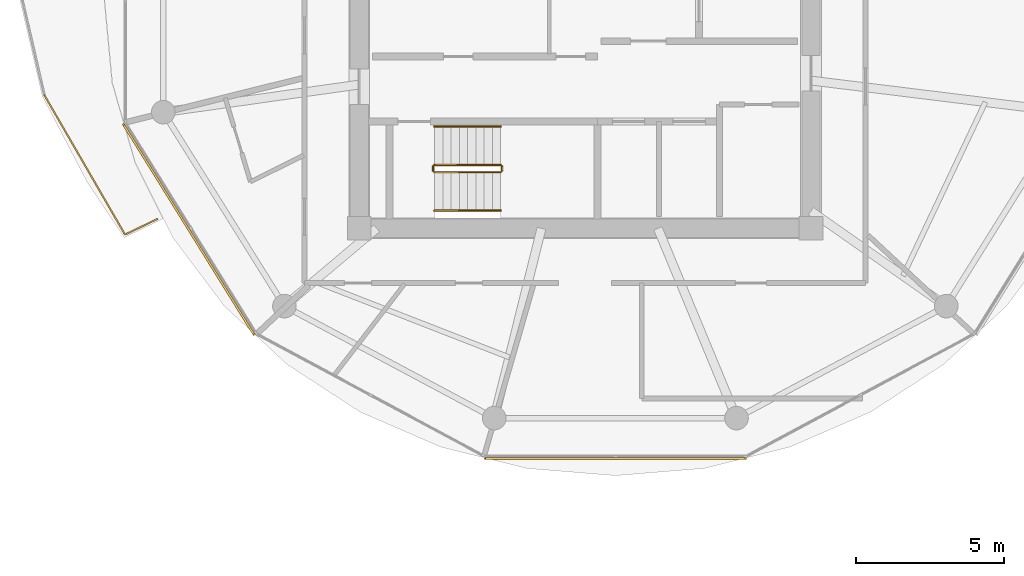
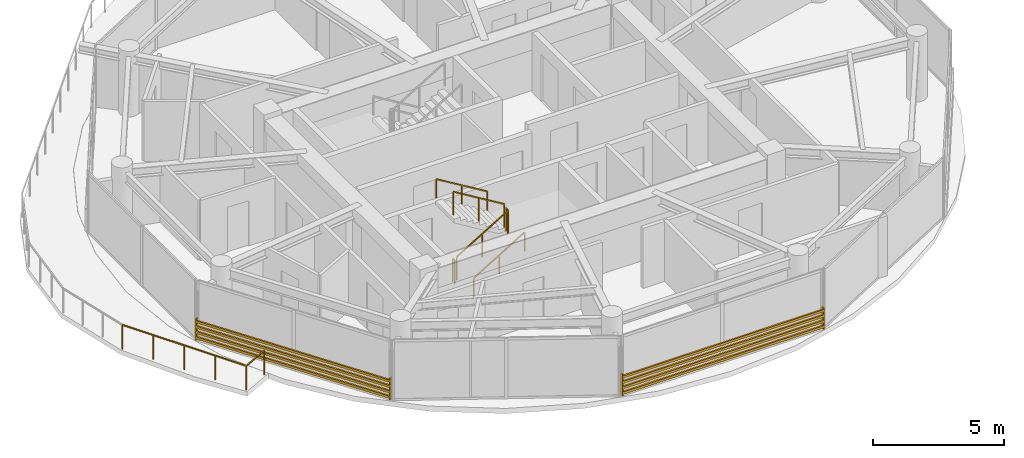
# One storey, part 20 of 24: 7 railings, 2 shading devices.
"""IFC4 building model written with IfcOpenShell, lengths in metres."""

from ifc_helpers import new_model, si_unit, direction, frame, origin, origin_2d, place, context, subcontext, project, spatial, rectangle, extrude, source, transform, mapped, material, type_object, type_shapes, element, save


model = new_model("IFC4")

# Units and contexts
model_context = context("Model", 3, precision=1e-05, world=origin(), true_north=direction((0.0, 1.0)))
body_context = subcontext(model_context, "Body", "Model", "MODEL_VIEW")
ifc_project = project(units=[si_unit("LENGTHUNIT", "METRE"), si_unit("AREAUNIT", "SQUARE_METRE"), si_unit("VOLUMEUNIT", "CUBIC_METRE"), si_unit("PLANEANGLEUNIT", "RADIAN"), si_unit("MASSUNIT", "GRAM", prefix="KILO")], contexts=[model_context])

# Site, building, storey
site_placement = place(None, origin())
site = spatial("IfcSite", under=ifc_project, at=site_placement, CompositionType="ELEMENT")
building_placement = place(site_placement, origin())
building = spatial("IfcBuilding", under=site, at=building_placement, Name="Norrkilde Senior Care Towers", CompositionType="ELEMENT")
storey_placement = place(building_placement, frame((0.0, 0.0, 155.64990234375)))
storey = spatial("IfcBuildingStorey", under=building, at=storey_placement, Name="L48", CompositionType="ELEMENT", Elevation=155.64990234375)

# Railings
ifc_material_1 = material(Name="Anodised Aluminium", Category="aluminium")
railing_type_1 = type_object("IfcRailingType", Name="Balcony Swirl Ribbon Guardrail 1150", PredefinedType="GUARDRAIL", material=ifc_material_1)
railing_1_placement = place(storey_placement, frame((-42.481689453125, -5.6298828125, 0.0)))
element("IfcRailing", 1, at=railing_1_placement, inside=storey, type_object=railing_type_1, Name="L48 Perimeter Safety Guard 04", PredefinedType="GUARDRAIL", context=body_context, shape_type="SweptSolid", body=[
    extrude(rectangle(XDim=0.048095703125, YDim=0.048095703125, at=origin_2d()), frame((0.0, 0.0, 1.1259765625), z_axis=(-0.900348952842, -0.43516866054, 0.0), x_axis=(0.43516866054, -0.900348952842, 0.0)), (0.0, 0.0, 1.0), 1.179443359375),
    extrude(rectangle(XDim=0.048095703125, YDim=0.048095703125, at=origin_2d()), frame((-1.119140625, -0.49560546875, 1.1259765625), z_axis=(-0.50067077736, 0.865637783774, 0.0), x_axis=(-0.865637783774, -0.50067077736, 0.0)), (0.0, 0.0, 1.0), 5.410400390625),
    extrude(rectangle(XDim=0.0419921875, YDim=0.0419921875, at=origin_2d()), origin(), (0.0, 0.0, 1.0), 1.099853515625),
    extrude(rectangle(XDim=0.0419921875, YDim=0.0419921875, at=origin_2d()), frame((-1.0986328125, -0.531005859375, 0.0)), (0.0, 0.0, 1.0), 1.099853515625),
    extrude(rectangle(XDim=0.0419921875, YDim=0.0419921875, at=origin_2d()), frame((-1.781005859375, 0.648681640625, 0.0)), (0.0, 0.0, 1.0), 1.099853515625),
    extrude(rectangle(XDim=0.0419921875, YDim=0.0419921875, at=origin_2d()), frame((-2.46337890625, 1.828369140625, 0.0)), (0.0, 0.0, 1.0), 1.099853515625),
    extrude(rectangle(XDim=0.0419921875, YDim=0.0419921875, at=origin_2d()), frame((-3.1455078125, 3.008056640625, 0.0)), (0.0, 0.0, 1.0), 1.099853515625),
    extrude(rectangle(XDim=0.0419921875, YDim=0.0419921875, at=origin_2d()), frame((-3.827880859375, 4.187744140625, 0.0)), (0.0, 0.0, 1.0), 1.099853515625),
])
ifc_material_2 = material(Name="Stainless Steel", Category="steel")
railing_type_2 = type_object("IfcRailingType", Name="Stair and Terrace Guardrail 1100", PredefinedType="GUARDRAIL", material=ifc_material_2)
railing_2_placement = place(storey_placement, frame((-33.10009765625, -4.050048828125, 0.16943359375)))
element("IfcRailing", 2, at=railing_2_placement, inside=storey, type_object=railing_type_2, Name="L48 ST-W2 stair guard 1", PredefinedType="GUARDRAIL", context=body_context, shape_type="SweptSolid", body=[
    extrude(rectangle(XDim=0.048095703125, YDim=0.048095703125, at=origin_2d()), frame((0.0, 0.0, 1.076171875), z_axis=(0.855512035549, 0.0, 0.517782924622), x_axis=(0.0, 1.0, 0.0)), (0.0, 0.0, 1.0), 2.618408203125),
    extrude(rectangle(XDim=0.0419921875, YDim=0.0419921875, at=origin_2d()), origin(), (0.0, 0.0, 1.0), 1.050048828125),
    extrude(rectangle(XDim=0.0419921875, YDim=0.0419921875, at=origin_2d()), frame((1.1201171875, 0.0, 0.677734375)), (0.0, 0.0, 1.0), 1.050048828125),
    extrude(rectangle(XDim=0.0419921875, YDim=0.0419921875, at=origin_2d()), frame((2.239990234375, 0.0, 1.355712890625)), (0.0, 0.0, 1.0), 1.050048828125),
])
railing_3_placement = place(storey_placement, frame((-30.81005859375, -4.0, 1.525146484375)))
element("IfcRailing", 3, at=railing_3_placement, inside=storey, type_object=railing_type_2, Name="L48 ST-W2 stair guard 2", PredefinedType="GUARDRAIL", context=body_context, shape_type="SweptSolid", body=[
    extrude(rectangle(XDim=0.048095703125, YDim=0.048095703125, at=origin_2d()), frame((0.0, 0.0, 1.076171875), z_axis=(0.0, 1.0, 0.0), x_axis=(-1.0, 0.0, 0.0)), (0.0, 0.0, 1.0), 0.14990234375),
    extrude(rectangle(XDim=0.0419921875, YDim=0.0419921875, at=origin_2d()), origin(), (0.0, 0.0, 1.0), 1.050048828125),
    extrude(rectangle(XDim=0.0419921875, YDim=0.0419921875, at=origin_2d()), frame((0.0, 0.14990234375, 0.0)), (0.0, 0.0, 1.0), 1.050048828125),
])
railing_4_placement = place(storey_placement, frame((-30.860107421875, -3.800048828125, 1.694580078125)))
element("IfcRailing", 4, at=railing_4_placement, inside=storey, type_object=railing_type_2, Name="L48 ST-W2 stair guard 3", PredefinedType="GUARDRAIL", context=body_context, shape_type="SweptSolid", body=[
    extrude(rectangle(XDim=0.048095703125, YDim=0.048095703125, at=origin_2d()), frame((0.0, 0.0, 1.076171875), z_axis=(-0.855553338991, 0.0, 0.51771467445), x_axis=(0.0, -1.0, 0.0)), (0.0, 0.0, 1.0), 2.6181640625),
    extrude(rectangle(XDim=0.0419921875, YDim=0.0419921875, at=origin_2d()), origin(), (0.0, 0.0, 1.0), 1.050048828125),
    extrude(rectangle(XDim=0.0419921875, YDim=0.0419921875, at=origin_2d()), frame((-1.1201171875, 0.0, 0.677734375)), (0.0, 0.0, 1.0), 1.050048828125),
    extrude(rectangle(XDim=0.0419921875, YDim=0.0419921875, at=origin_2d()), frame((-2.239990234375, 0.0, 1.35546875)), (0.0, 0.0, 1.0), 1.050048828125),
])
railing_5_placement = place(storey_placement, frame((-33.14990234375, -4.0, 0.0)))
element("IfcRailing", 5, at=railing_5_placement, inside=storey, type_object=railing_type_2, Name="L48 ST-W2 stair guard 4", PredefinedType="GUARDRAIL", context=body_context, shape_type="SweptSolid", body=[
    extrude(rectangle(XDim=0.048095703125, YDim=0.048095703125, at=origin_2d()), frame((0.0, 0.0, 1.076171875), z_axis=(0.0, 1.0, 0.0), x_axis=(-1.0, 0.0, 0.0)), (0.0, 0.0, 1.0), 0.14990234375),
    extrude(rectangle(XDim=0.0419921875, YDim=0.0419921875, at=origin_2d()), origin(), (0.0, 0.0, 1.0), 1.050048828125),
    extrude(rectangle(XDim=0.0419921875, YDim=0.0419921875, at=origin_2d()), frame((0.0, 0.14990234375, 0.0)), (0.0, 0.0, 1.0), 1.050048828125),
])
ifc_material_3 = material(Name="Nordic Ash Timber", Category="wood")
railing_type_3 = type_object("IfcRailingType", Name="Wall and Stair Handrail 900", PredefinedType="HANDRAIL", material=ifc_material_3)
railing_6_placement = place(storey_placement, frame((-33.10009765625, -5.35009765625, 0.16943359375)))
element("IfcRailing", 6, at=railing_6_placement, inside=storey, type_object=railing_type_3, Name="L48 ST-W2 stair handrail 1", PredefinedType="HANDRAIL", context=body_context, shape_type="SweptSolid", body=[
    extrude(rectangle(XDim=0.048095703125, YDim=0.048095703125, at=origin_2d()), frame((0.0, 0.0, 0.8759765625), z_axis=(0.855512035549, 0.0, 0.517782924622), x_axis=(0.0, 1.0, 0.0)), (0.0, 0.0, 1.0), 2.618408203125),
    extrude(rectangle(XDim=0.0419921875, YDim=0.0419921875, at=origin_2d()), origin(), (0.0, 0.0, 1.0), 0.849853515625),
    extrude(rectangle(XDim=0.0419921875, YDim=0.0419921875, at=origin_2d()), frame((1.1201171875, 0.0, 0.677734375)), (0.0, 0.0, 1.0), 0.849853515625),
    extrude(rectangle(XDim=0.0419921875, YDim=0.0419921875, at=origin_2d()), frame((2.239990234375, 0.0, 1.355712890625)), (0.0, 0.0, 1.0), 0.849853515625),
])
railing_7_placement = place(storey_placement, frame((-30.860107421875, -2.5, 1.694580078125)))
element("IfcRailing", 7, at=railing_7_placement, inside=storey, type_object=railing_type_3, Name="L48 ST-W2 stair handrail 2", PredefinedType="HANDRAIL", context=body_context, shape_type="SweptSolid", body=[
    extrude(rectangle(XDim=0.048095703125, YDim=0.048095703125, at=origin_2d()), frame((0.0, 0.0, 0.8759765625), z_axis=(-0.855553338991, 0.0, 0.51771467445), x_axis=(0.0, -1.0, 0.0)), (0.0, 0.0, 1.0), 2.6181640625),
    extrude(rectangle(XDim=0.0419921875, YDim=0.0419921875, at=origin_2d()), origin(), (0.0, 0.0, 1.0), 0.849853515625),
    extrude(rectangle(XDim=0.0419921875, YDim=0.0419921875, at=origin_2d()), frame((-1.1201171875, 0.0, 0.677734375)), (0.0, 0.0, 1.0), 0.849853515625),
    extrude(rectangle(XDim=0.0419921875, YDim=0.0419921875, at=origin_2d()), frame((-2.239990234375, 0.0, 1.35546875)), (0.0, 0.0, 1.0), 0.849853515625),
])

# Shading devices
ifc_material_4 = material(Name="Architectural Terracotta", Category="masonry")
shading_device_type = type_object("IfcShadingDeviceType", Name="Horizontal Terracotta Baguette Rack", PredefinedType="USERDEFINED", material=ifc_material_4)
shared_shape_1 = source(origin(), body_context, "Body", "SweptSolid", [
    extrude(rectangle(XDim=0.070068359375, YDim=0.110107421875, at=origin_2d()), frame((0.0, 0.090087890625, 0.125), z_axis=(1.0, 0.0, 0.0), x_axis=(0.0, 1.0, 0.0)), (0.0, 0.0, 1.0), 8.89306640625),
    extrude(rectangle(XDim=0.070068359375, YDim=0.110107421875, at=origin_2d()), frame((0.0, 0.090087890625, 0.375), z_axis=(1.0, 0.0, 0.0), x_axis=(0.0, 1.0, 0.0)), (0.0, 0.0, 1.0), 8.89306640625),
    extrude(rectangle(XDim=0.070068359375, YDim=0.110107421875, at=origin_2d()), frame((0.0, 0.090087890625, 0.625), z_axis=(1.0, 0.0, 0.0), x_axis=(0.0, 1.0, 0.0)), (0.0, 0.0, 1.0), 8.89306640625),
    extrude(rectangle(XDim=0.070068359375, YDim=0.110107421875, at=origin_2d()), frame((0.0, 0.090087890625, 0.875), z_axis=(1.0, 0.0, 0.0), x_axis=(0.0, 1.0, 0.0)), (0.0, 0.0, 1.0), 8.89306640625),
    extrude(rectangle(XDim=0.050048828125, YDim=0.1552734375, at=origin_2d()), frame((0.02490234375, 0.047607421875, 0.0)), (0.0, 0.0, 1.0), 1.0),
    extrude(rectangle(XDim=0.050048828125, YDim=0.1552734375, at=origin_2d()), frame((8.8681640625, 0.047607421875, 0.0)), (0.0, 0.0, 1.0), 1.0),
])
shading_device_1_placement = place(storey_placement, frame((-22.528564453125, -13.66015625, 0.080078125), z_axis=(0.0, 0.0, 1.0), x_axis=(-1.0, 0.0, 0.0)))
element("IfcShadingDevice", 8, at=shading_device_1_placement, inside=storey, type_object=shading_device_type, Name="L48 Drum W Terracotta Baguette Screen 08", ObjectType="BAGUETTE", PredefinedType="USERDEFINED", context=body_context, shape_type="MappedRepresentation", body=[
    mapped(shared_shape_1, transform((0.0, 0.0, 0.0), x_axis=(1.0, 0.0, 0.0), y_axis=(0.0, 1.0, 0.0), z_axis=(0.0, 0.0, 1.0), scale=1.0)),
])
shared_shape_2 = source(origin(), body_context, "Body", "SweptSolid", [
    extrude(rectangle(XDim=0.070068359375, YDim=0.110107421875, at=origin_2d()), frame((0.0, 0.090087890625, 0.125), z_axis=(1.0, 0.0, 0.0), x_axis=(0.0, 1.0, 0.0)), (0.0, 0.0, 1.0), 8.431396484375),
    extrude(rectangle(XDim=0.070068359375, YDim=0.110107421875, at=origin_2d()), frame((0.0, 0.090087890625, 0.375), z_axis=(1.0, 0.0, 0.0), x_axis=(0.0, 1.0, 0.0)), (0.0, 0.0, 1.0), 8.431396484375),
    extrude(rectangle(XDim=0.070068359375, YDim=0.110107421875, at=origin_2d()), frame((0.0, 0.090087890625, 0.625), z_axis=(1.0, 0.0, 0.0), x_axis=(0.0, 1.0, 0.0)), (0.0, 0.0, 1.0), 8.431396484375),
    extrude(rectangle(XDim=0.070068359375, YDim=0.110107421875, at=origin_2d()), frame((0.0, 0.090087890625, 0.875), z_axis=(1.0, 0.0, 0.0), x_axis=(0.0, 1.0, 0.0)), (0.0, 0.0, 1.0), 8.431396484375),
    extrude(rectangle(XDim=0.050048828125, YDim=0.1552734375, at=origin_2d()), frame((0.02490234375, 0.047607421875, 0.0)), (0.0, 0.0, 1.0), 1.0),
    extrude(rectangle(XDim=0.050048828125, YDim=0.1552734375, at=origin_2d()), frame((8.40625, 0.047607421875, 0.0)), (0.0, 0.0, 1.0), 1.0),
])
type_shapes(shading_device_type, [shared_shape_1, shared_shape_2])
shading_device_2_placement = place(storey_placement, frame((-39.123046875, -9.524169921875, 0.080078125), z_axis=(0.0, 0.0, 1.0), x_axis=(-0.527378022296, 0.849630809324, 0.0)))
element("IfcShadingDevice", 9, at=shading_device_2_placement, inside=storey, type_object=shading_device_type, Name="L48 Drum W Terracotta Baguette Screen 06", ObjectType="BAGUETTE", PredefinedType="USERDEFINED", context=body_context, shape_type="MappedRepresentation", body=[
    mapped(shared_shape_2, transform((0.0, 0.0, 0.0), x_axis=(1.0, 0.0, 0.0), y_axis=(0.0, 1.0, 0.0), z_axis=(0.0, 0.0, 1.0), scale=1.0)),
])

save(model, "model.ifc")
